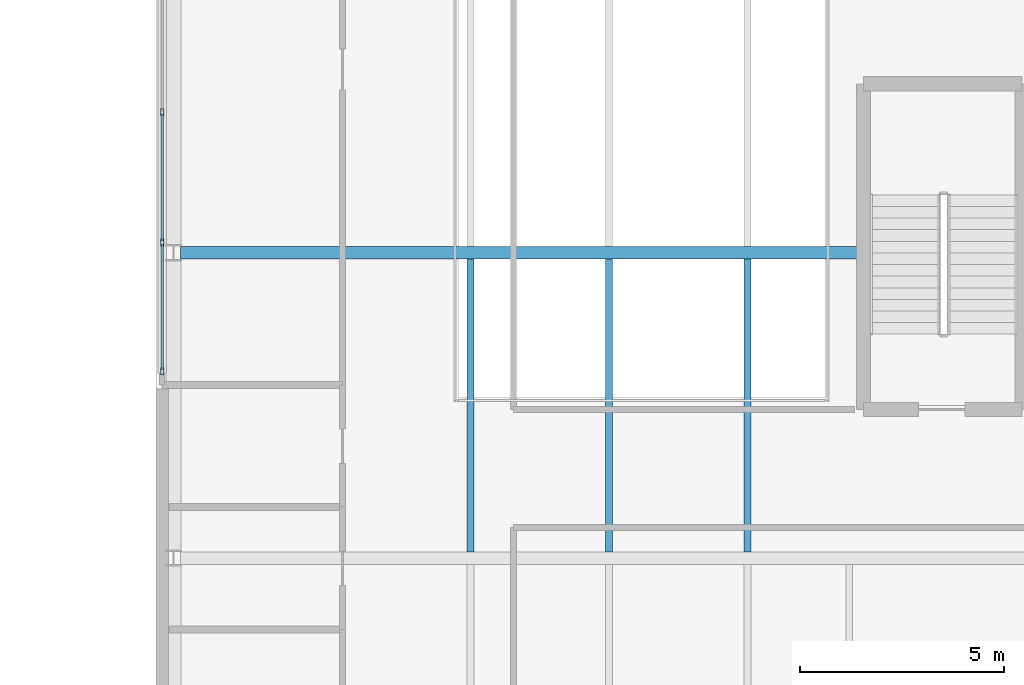
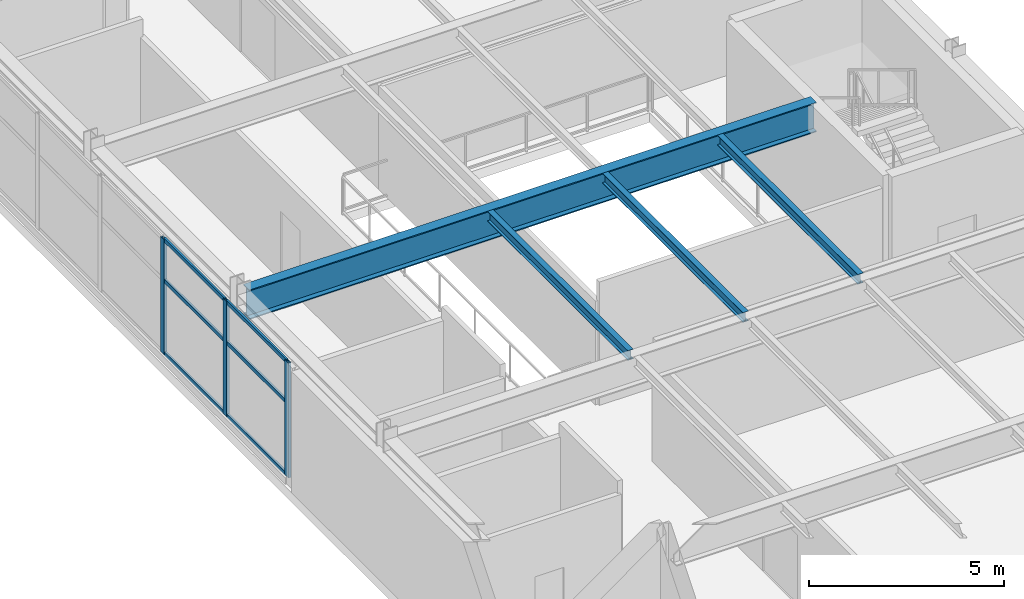
# One storey, part 4 of 16: 9 members, 4 beams, 1 element without a shape of its own.
"""IFC4 building model written with IfcOpenShell, lengths in metres."""

from ifc_helpers import new_model, si_unit, direction, frame, origin, origin_2d, place, context, subcontext, project, spatial, hollow_rectangle, i_section, extrude, material, layer, layer_set, material_profile, profile_set, type_object, element, aggregate, save


model = new_model("IFC4")

# Units and contexts
model_context = context("Model", 3, precision=1e-05, world=origin(), true_north=direction((0.0, 1.0)))
body_context = subcontext(model_context, "Body", "Model", "MODEL_VIEW")
ifc_project = project(units=[si_unit("LENGTHUNIT", "METRE"), si_unit("AREAUNIT", "SQUARE_METRE"), si_unit("VOLUMEUNIT", "CUBIC_METRE"), si_unit("PLANEANGLEUNIT", "RADIAN"), si_unit("MASSUNIT", "GRAM", prefix="KILO")], contexts=[model_context])

# Site, building, storey
site_placement = place(None, origin())
site = spatial("IfcSite", under=ifc_project, at=site_placement, CompositionType="ELEMENT")
building_placement = place(site_placement, origin())
building = spatial("IfcBuilding", under=site, at=building_placement, Name="Mersakhor Tower and Convention Hall", CompositionType="ELEMENT")
storey_placement = place(building_placement, frame((0.0, 0.0, 5.10009765625)))
storey = spatial("IfcBuildingStorey", under=building, at=storey_placement, Name="L01", CompositionType="ELEMENT", Elevation=5.10009765625)

# Beams
ifc_material_1 = material(Name="Steel S355", Category="steel")
ifc_material_profile_1 = material_profile(ifc_material_1, i_section(OverallWidth=0.165771484375, OverallDepth=0.306640625, WebThickness=0.006591796875, FlangeThickness=0.01171875, at=origin_2d()), Name="UB 305x165x46")
ifc_profile_set_1 = profile_set([ifc_material_profile_1], Name="Steel S355")
beam_type_1 = type_object("IfcBeamType", Name="BM-JST-305", PredefinedType="JOIST", material=ifc_profile_set_1)
for number, where, z_axis, x_axis, name in (
    (1, (62.800048828125, 18.40380859375, 4.026611328125), (0.0, 1.0, 0.0), (-1.0, 0.0, 0.0), "Convention L01 Composite Floor Joist CJ-3-62"),
    (2, (66.199951171875, 18.40380859375, 4.026611328125), (0.0, 1.0, 0.0), (-1.0, 0.0, 0.0), "Convention L01 Composite Floor Joist CJ-3-66"),
    (3, (69.60009765625, 18.40380859375, 4.026611328125), (0.0, 1.0, 0.0), (-1.0, 0.0, 0.0), "Convention L01 Composite Floor Joist CJ-3-69"),
):
    element("IfcBeam", number, at=place(storey_placement, frame(where, z_axis=z_axis, x_axis=x_axis)), inside=storey, type_object=beam_type_1, Name=name, PredefinedType="JOIST", context=body_context, shape_type="SweptSolid", body=[
        extrude(i_section(OverallWidth=0.165771484375, OverallDepth=0.306640625, WebThickness=0.006591796875, FlangeThickness=0.01171875, at=origin_2d()), origin(), (0.0, 0.0, 1.0), 7.1923828125),
    ])
ifc_material_2 = material(Name="Steel S355", Category="steel")
ifc_material_profile_2 = material_profile(ifc_material_2, i_section(OverallWidth=0.3076171875, OverallDepth=0.926513671875, WebThickness=0.01953125, FlangeThickness=0.031982421875, at=origin_2d()), Name="UB 914x305x289")
ifc_profile_set_2 = profile_set([ifc_material_profile_2], Name="Steel S355")
beam_type_2 = type_object("IfcBeamType", Name="BM-PR-914", PredefinedType="BEAM", material=ifc_profile_set_2)
beam_placement = place(storey_placement, frame((55.679931640625, 25.75, 3.716552734375), z_axis=(1.0, 0.0, 0.0), x_axis=(0.0, 1.0, 0.0)))
element("IfcBeam", 4, at=beam_placement, inside=storey, type_object=beam_type_2, Name="Convention L01 Clear-Span Girder CG-4", PredefinedType="BEAM", context=body_context, shape_type="SweptSolid", body=[
    extrude(i_section(OverallWidth=0.3076171875, OverallDepth=0.926513671875, WebThickness=0.01953125, FlangeThickness=0.031982421875, at=origin_2d()), origin(), (0.0, 0.0, 1.0), 16.77001953125),
])

# Curtain wall, members
ifc_material_3 = material(Name="Dark solar low-E aluminium curtain wall", Category="aluminium")
ifc_layer = layer(ifc_material_3, 0.219970703125)
ifc_layer_set = layer_set([ifc_layer], Name="Dark solar low-E aluminium curtain wall")
curtain_wall_type = type_object("IfcCurtainWallType", Name="CW-SYS-07", PredefinedType="USERDEFINED", material=ifc_layer_set)
curtain_wall_placement = place(storey_placement, origin())
curtain_wall = element("IfcCurtainWall", 5, at=curtain_wall_placement, inside=storey, type_object=curtain_wall_type, Name="Convention L01 West Curtain Wall", ObjectType="CURTAIN WALL", PredefinedType="USERDEFINED")
ifc_material_4 = material(Name="Anodised aluminium EN AW-6063 T6", Category="aluminium")
ifc_material_profile_3 = material_profile(ifc_material_4, hollow_rectangle(XDim=0.080078125, YDim=0.179931640625, WallThickness=0.008056640625, at=origin_2d()), Name="RHS 180x80x8")
ifc_profile_set_3 = profile_set([ifc_material_profile_3], Name="Anodised aluminium EN AW-6063 T6")
member_type_1 = type_object("IfcMemberType", Name="CWM-180x80", PredefinedType="MULLION", material=ifc_profile_set_3)
member_1_placement = place(storey_placement, frame((55.22509765625, 22.840087890625, 0.199951171875), z_axis=(0.0, 0.0, 1.0), x_axis=(-1.0, 0.0, 0.0)))
member_1 = element("IfcMember", 6, at=member_1_placement, type_object=member_type_1, Name="CW-07 mullion 1", PredefinedType="MULLION", context=body_context, shape_type="SweptSolid", body=[
    extrude(hollow_rectangle(XDim=0.080078125, YDim=0.179931640625, WallThickness=0.008056640625, at=origin_2d()), origin(), (0.0, 0.0, 1.0), 3.599853515625),
])
member_2_placement = place(storey_placement, frame((55.22509765625, 26.0, 0.199951171875), z_axis=(0.0, 0.0, 1.0), x_axis=(-1.0, 0.0, 0.0)))
member_2 = element("IfcMember", 7, at=member_2_placement, type_object=member_type_1, Name="CW-07 mullion 2", PredefinedType="MULLION", context=body_context, shape_type="SweptSolid", body=[
    extrude(hollow_rectangle(XDim=0.080078125, YDim=0.179931640625, WallThickness=0.008056640625, at=origin_2d()), origin(), (0.0, 0.0, 1.0), 3.599853515625),
])
member_3_placement = place(storey_placement, frame((55.22509765625, 29.199951171875, 0.199951171875), z_axis=(0.0, 0.0, 1.0), x_axis=(-1.0, 0.0, 0.0)))
member_3 = element("IfcMember", 8, at=member_3_placement, type_object=member_type_1, Name="CW-07 mullion 3", PredefinedType="MULLION", context=body_context, shape_type="SweptSolid", body=[
    extrude(hollow_rectangle(XDim=0.080078125, YDim=0.179931640625, WallThickness=0.008056640625, at=origin_2d()), origin(), (0.0, 0.0, 1.0), 3.599853515625),
])
ifc_material_5 = material(Name="Anodised aluminium EN AW-6063 T6", Category="aluminium")
ifc_material_profile_4 = material_profile(ifc_material_5, hollow_rectangle(XDim=0.06005859375, YDim=0.1201171875, WallThickness=0.0048828125, at=origin_2d()), Name="RHS 120x60x5")
ifc_profile_set_4 = profile_set([ifc_material_profile_4], Name="Anodised aluminium EN AW-6063 T6")
member_type_2 = type_object("IfcMemberType", Name="CWT-120x60", PredefinedType="USERDEFINED", material=ifc_profile_set_4)
member_4_placement = place(storey_placement, frame((55.22509765625, 22.8798828125, 0.22998046875), z_axis=(0.0, 1.0, 0.0), x_axis=(-1.0, 0.0, 0.0)))
member_4 = element("IfcMember", 9, at=member_4_placement, type_object=member_type_2, Name="CW-07 transom 1.1", ObjectType="TRANSOM", PredefinedType="USERDEFINED", context=body_context, shape_type="SweptSolid", body=[
    extrude(hollow_rectangle(XDim=0.06005859375, YDim=0.1201171875, WallThickness=0.0048828125, at=origin_2d()), origin(), (0.0, 0.0, 1.0), 3.080078125),
])
member_5_placement = place(storey_placement, frame((55.22509765625, 22.8798828125, 2.5), z_axis=(0.0, 1.0, 0.0), x_axis=(-1.0, 0.0, 0.0)))
member_5 = element("IfcMember", 10, at=member_5_placement, type_object=member_type_2, Name="CW-07 transom 1.2", ObjectType="TRANSOM", PredefinedType="USERDEFINED", context=body_context, shape_type="SweptSolid", body=[
    extrude(hollow_rectangle(XDim=0.06005859375, YDim=0.1201171875, WallThickness=0.0048828125, at=origin_2d()), origin(), (0.0, 0.0, 1.0), 3.080078125),
])
member_6_placement = place(storey_placement, frame((55.22509765625, 22.8798828125, 3.77001953125), z_axis=(0.0, 1.0, 0.0), x_axis=(-1.0, 0.0, 0.0)))
member_6 = element("IfcMember", 11, at=member_6_placement, type_object=member_type_2, Name="CW-07 transom 1.3", ObjectType="TRANSOM", PredefinedType="USERDEFINED", context=body_context, shape_type="SweptSolid", body=[
    extrude(hollow_rectangle(XDim=0.06005859375, YDim=0.1201171875, WallThickness=0.0048828125, at=origin_2d()), origin(), (0.0, 0.0, 1.0), 3.080078125),
])
member_7_placement = place(storey_placement, frame((55.22509765625, 26.0400390625, 0.22998046875), z_axis=(0.0, 1.0, 0.0), x_axis=(-1.0, 0.0, 0.0)))
member_7 = element("IfcMember", 12, at=member_7_placement, type_object=member_type_2, Name="CW-07 transom 2.1", ObjectType="TRANSOM", PredefinedType="USERDEFINED", context=body_context, shape_type="SweptSolid", body=[
    extrude(hollow_rectangle(XDim=0.06005859375, YDim=0.1201171875, WallThickness=0.0048828125, at=origin_2d()), origin(), (0.0, 0.0, 1.0), 3.119873046875),
])
member_8_placement = place(storey_placement, frame((55.22509765625, 26.0400390625, 2.5), z_axis=(0.0, 1.0, 0.0), x_axis=(-1.0, 0.0, 0.0)))
member_8 = element("IfcMember", 13, at=member_8_placement, type_object=member_type_2, Name="CW-07 transom 2.2", ObjectType="TRANSOM", PredefinedType="USERDEFINED", context=body_context, shape_type="SweptSolid", body=[
    extrude(hollow_rectangle(XDim=0.06005859375, YDim=0.1201171875, WallThickness=0.0048828125, at=origin_2d()), origin(), (0.0, 0.0, 1.0), 3.119873046875),
])
member_9_placement = place(storey_placement, frame((55.22509765625, 26.0400390625, 3.77001953125), z_axis=(0.0, 1.0, 0.0), x_axis=(-1.0, 0.0, 0.0)))
member_9 = element("IfcMember", 14, at=member_9_placement, type_object=member_type_2, Name="CW-07 transom 2.3", ObjectType="TRANSOM", PredefinedType="USERDEFINED", context=body_context, shape_type="SweptSolid", body=[
    extrude(hollow_rectangle(XDim=0.06005859375, YDim=0.1201171875, WallThickness=0.0048828125, at=origin_2d()), origin(), (0.0, 0.0, 1.0), 3.119873046875),
])
aggregate(curtain_wall, [member_1, member_2, member_3, member_4, member_5, member_6, member_7, member_8, member_9])

save(model, "model.ifc")
